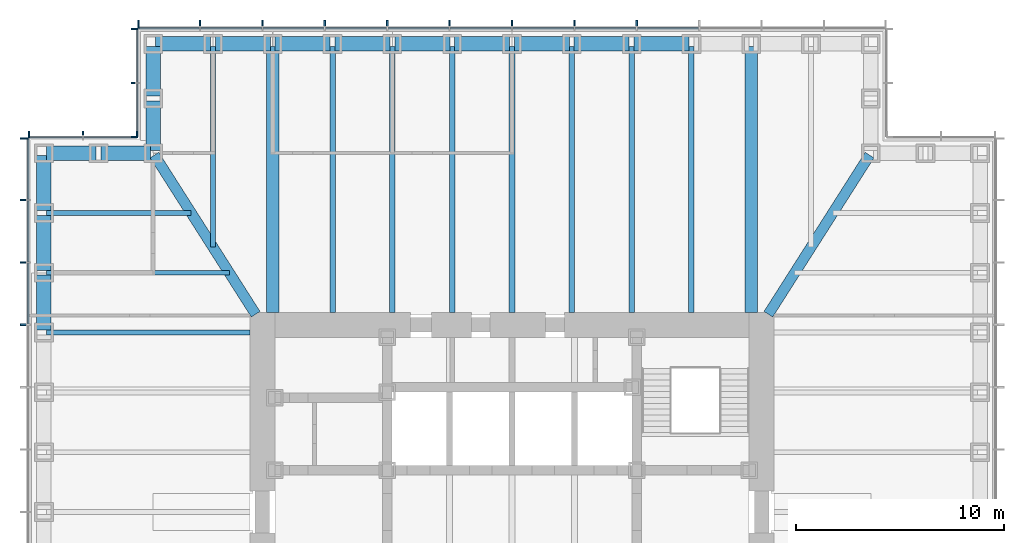
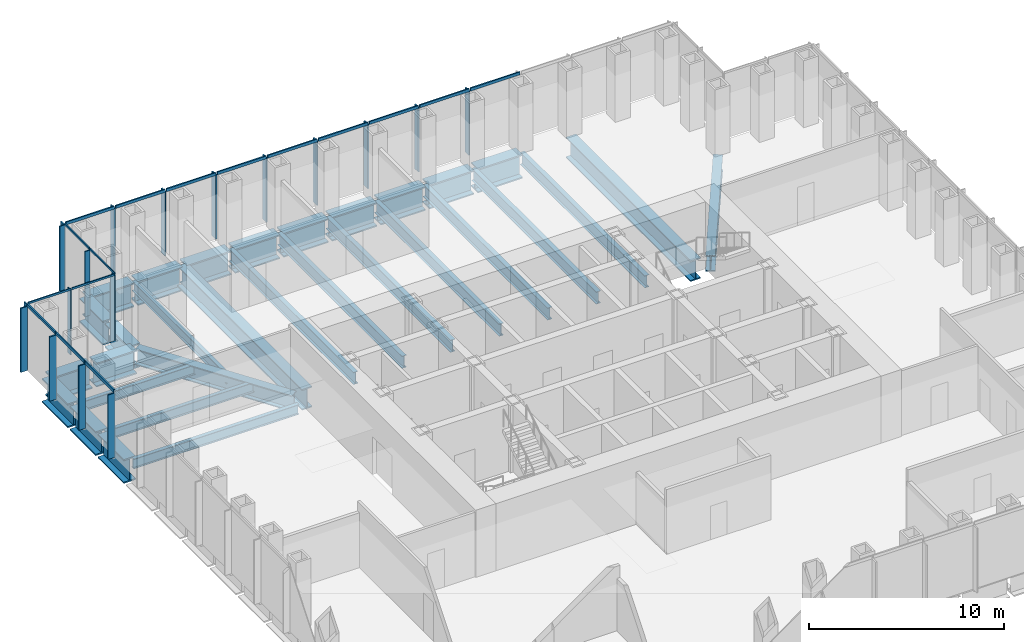
# One storey, part 5 of 16: 35 members, 31 beams, 4 elements without a shape of their own.
"""IFC4 building model written with IfcOpenShell, lengths in metres."""

from ifc_helpers import new_model, si_unit, direction, frame, origin, origin_2d, place, context, subcontext, project, spatial, rectangle, i_section, extrude, material, material_profile, profile_set, type_object, element, aggregate, save


model = new_model("IFC4")

# Units and contexts
model_context = context("Model", 3, precision=1e-05, world=origin(), true_north=direction((0.0, 1.0)))
body_context = subcontext(model_context, "Body", "Model", "MODEL_VIEW")
ifc_project = project(units=[si_unit("LENGTHUNIT", "METRE"), si_unit("AREAUNIT", "SQUARE_METRE"), si_unit("VOLUMEUNIT", "CUBIC_METRE"), si_unit("PLANEANGLEUNIT", "RADIAN"), si_unit("MASSUNIT", "GRAM", prefix="KILO")], contexts=[model_context])

# Site, building, storey
site_placement = place(None, origin())
site = spatial("IfcSite", under=ifc_project, at=site_placement, CompositionType="ELEMENT")
building_placement = place(site_placement, origin())
building = spatial("IfcBuilding", under=site, at=building_placement, Name="Daluyong Arena Tower", CompositionType="ELEMENT")
storey_placement = place(building_placement, frame((0.0, 0.0, 141.699951171875)))
storey = spatial("IfcBuildingStorey", under=building, at=storey_placement, Name="L31", CompositionType="ELEMENT", Elevation=141.699951171875)

# Curtain wall, members
ifc_material_1 = material(Name="Bronze anodised aluminium and glass", Category="aluminium")
curtain_wall_type_1 = type_object("IfcCurtainWallType", Name="Curtain wall CW2", PredefinedType="USERDEFINED", material=ifc_material_1)
curtain_wall_1_placement = place(storey_placement, origin())
curtain_wall_1 = element("IfcCurtainWall", 1, at=curtain_wall_1_placement, inside=storey, type_object=curtain_wall_type_1, Name="curtain wall L31 N", ObjectType="UNITISED CURTAIN WALL", PredefinedType="USERDEFINED")
ifc_material_2 = material(Name="Bronze anodised aluminium fin", Category="aluminium")
ifc_material_profile_1 = material_profile(ifc_material_2, rectangle(XDim=0.39990234375, YDim=0.080078125, at=origin_2d()))
ifc_profile_set_1 = profile_set([ifc_material_profile_1], Name="Bronze anodised aluminium fin")
member_type_1 = type_object("IfcMemberType", Name="CW2 bronze fin 400x80", PredefinedType="MULLION", material=ifc_profile_set_1)
member_1_placement = place(storey_placement, frame((62.0, 103.449951171875, 0.0), z_axis=(0.0, 0.0, 1.0), x_axis=(0.0, -1.0, 0.0)))
member_1 = element("IfcMember", 2, at=member_1_placement, type_object=member_type_1, Name="curtain wall L31 N fin 5", PredefinedType="MULLION", context=body_context, shape_type="SweptSolid", body=[
    extrude(rectangle(XDim=0.39990234375, YDim=0.080078125, at=origin_2d()), origin(), (0.0, 0.0, 1.0), 4.02001953125),
])
member_2_placement = place(storey_placement, frame((59.0, 103.449951171875, 0.0), z_axis=(0.0, 0.0, 1.0), x_axis=(0.0, -1.0, 0.0)))
member_2 = element("IfcMember", 3, at=member_2_placement, type_object=member_type_1, Name="curtain wall L31 N fin 6", PredefinedType="MULLION", context=body_context, shape_type="SweptSolid", body=[
    extrude(rectangle(XDim=0.39990234375, YDim=0.080078125, at=origin_2d()), origin(), (0.0, 0.0, 1.0), 4.02001953125),
])
member_3_placement = place(storey_placement, frame((56.0, 103.449951171875, 0.0), z_axis=(0.0, 0.0, 1.0), x_axis=(0.0, -1.0, 0.0)))
member_3 = element("IfcMember", 4, at=member_3_placement, type_object=member_type_1, Name="curtain wall L31 N fin 7", PredefinedType="MULLION", context=body_context, shape_type="SweptSolid", body=[
    extrude(rectangle(XDim=0.39990234375, YDim=0.080078125, at=origin_2d()), origin(), (0.0, 0.0, 1.0), 4.02001953125),
])
member_4_placement = place(storey_placement, frame((53.0, 103.449951171875, 0.0), z_axis=(0.0, 0.0, 1.0), x_axis=(0.0, -1.0, 0.0)))
member_4 = element("IfcMember", 5, at=member_4_placement, type_object=member_type_1, Name="curtain wall L31 N fin 8", PredefinedType="MULLION", context=body_context, shape_type="SweptSolid", body=[
    extrude(rectangle(XDim=0.39990234375, YDim=0.080078125, at=origin_2d()), origin(), (0.0, 0.0, 1.0), 4.02001953125),
])
member_5_placement = place(storey_placement, frame((50.0, 103.449951171875, 0.0), z_axis=(0.0, 0.0, 1.0), x_axis=(0.0, -1.0, 0.0)))
member_5 = element("IfcMember", 6, at=member_5_placement, type_object=member_type_1, Name="curtain wall L31 N fin 9", PredefinedType="MULLION", context=body_context, shape_type="SweptSolid", body=[
    extrude(rectangle(XDim=0.39990234375, YDim=0.080078125, at=origin_2d()), origin(), (0.0, 0.0, 1.0), 4.02001953125),
])
member_6_placement = place(storey_placement, frame((47.0, 103.449951171875, 0.0), z_axis=(0.0, 0.0, 1.0), x_axis=(0.0, -1.0, 0.0)))
member_6 = element("IfcMember", 7, at=member_6_placement, type_object=member_type_1, Name="curtain wall L31 N fin 10", PredefinedType="MULLION", context=body_context, shape_type="SweptSolid", body=[
    extrude(rectangle(XDim=0.39990234375, YDim=0.080078125, at=origin_2d()), origin(), (0.0, 0.0, 1.0), 4.02001953125),
])
member_7_placement = place(storey_placement, frame((44.0, 103.449951171875, 0.0), z_axis=(0.0, 0.0, 1.0), x_axis=(0.0, -1.0, 0.0)))
member_7 = element("IfcMember", 8, at=member_7_placement, type_object=member_type_1, Name="curtain wall L31 N fin 11", PredefinedType="MULLION", context=body_context, shape_type="SweptSolid", body=[
    extrude(rectangle(XDim=0.39990234375, YDim=0.080078125, at=origin_2d()), origin(), (0.0, 0.0, 1.0), 4.02001953125),
])
member_8_placement = place(storey_placement, frame((41.0, 103.449951171875, 0.0), z_axis=(0.0, 0.0, 1.0), x_axis=(0.0, -1.0, 0.0)))
member_8 = element("IfcMember", 9, at=member_8_placement, type_object=member_type_1, Name="curtain wall L31 N fin 12", PredefinedType="MULLION", context=body_context, shape_type="SweptSolid", body=[
    extrude(rectangle(XDim=0.39990234375, YDim=0.080078125, at=origin_2d()), origin(), (0.0, 0.0, 1.0), 4.02001953125),
])
member_9_placement = place(storey_placement, frame((38.0400390625, 103.449951171875, 0.0), z_axis=(0.0, 0.0, 1.0), x_axis=(0.0, -1.0, 0.0)))
member_9 = element("IfcMember", 10, at=member_9_placement, type_object=member_type_1, Name="curtain wall L31 N fin 13", PredefinedType="MULLION", context=body_context, shape_type="SweptSolid", body=[
    extrude(rectangle(XDim=0.39990234375, YDim=0.080078125, at=origin_2d()), origin(), (0.0, 0.0, 1.0), 4.02001953125),
])

curtain_wall_2_placement = place(storey_placement, origin())
curtain_wall_2 = element("IfcCurtainWall", 11, at=curtain_wall_2_placement, inside=storey, type_object=curtain_wall_type_1, Name="curtain wall L31 W", ObjectType="UNITISED CURTAIN WALL", PredefinedType="USERDEFINED")
member_10_placement = place(storey_placement, frame((32.550048828125, 97.9599609375, 0.0), z_axis=(0.0, 0.0, 1.0), x_axis=(1.0, 0.0, 0.0)))
member_10 = element("IfcMember", 12, at=member_10_placement, type_object=member_type_1, Name="curtain wall L31 W fin 1", PredefinedType="MULLION", context=body_context, shape_type="SweptSolid", body=[
    extrude(rectangle(XDim=0.39990234375, YDim=0.080078125, at=origin_2d()), origin(), (0.0, 0.0, 1.0), 4.02001953125),
])
member_11_placement = place(storey_placement, frame((32.550048828125, 95.0, 0.0), z_axis=(0.0, 0.0, 1.0), x_axis=(1.0, 0.0, 0.0)))
member_11 = element("IfcMember", 13, at=member_11_placement, type_object=member_type_1, Name="curtain wall L31 W fin 2", PredefinedType="MULLION", context=body_context, shape_type="SweptSolid", body=[
    extrude(rectangle(XDim=0.39990234375, YDim=0.080078125, at=origin_2d()), origin(), (0.0, 0.0, 1.0), 4.02001953125),
])
member_12_placement = place(storey_placement, frame((32.550048828125, 92.0, 0.0), z_axis=(0.0, 0.0, 1.0), x_axis=(1.0, 0.0, 0.0)))
member_12 = element("IfcMember", 14, at=member_12_placement, type_object=member_type_1, Name="curtain wall L31 W fin 3", PredefinedType="MULLION", context=body_context, shape_type="SweptSolid", body=[
    extrude(rectangle(XDim=0.39990234375, YDim=0.080078125, at=origin_2d()), origin(), (0.0, 0.0, 1.0), 4.02001953125),
])
member_13_placement = place(storey_placement, frame((32.550048828125, 89.0, 0.0), z_axis=(0.0, 0.0, 1.0), x_axis=(1.0, 0.0, 0.0)))
member_13 = element("IfcMember", 15, at=member_13_placement, type_object=member_type_1, Name="curtain wall L31 W fin 4", PredefinedType="MULLION", context=body_context, shape_type="SweptSolid", body=[
    extrude(rectangle(XDim=0.39990234375, YDim=0.080078125, at=origin_2d()), origin(), (0.0, 0.0, 1.0), 4.02001953125),
])

# Member
ifc_material_3 = material(Name="Bronze anodised aluminium", Category="aluminium")
ifc_material_profile_2 = material_profile(ifc_material_3, rectangle(XDim=0.080078125, YDim=0.179931640625, at=origin_2d()))
ifc_profile_set_2 = profile_set([ifc_material_profile_2], Name="Bronze anodised aluminium")
member_type_2 = type_object("IfcMemberType", Name="CW2 stack transom 180x80", PredefinedType="USERDEFINED", material=ifc_profile_set_2)
member_14_placement = place(storey_placement, frame((64.9599609375, 103.25, 4.110107421875), z_axis=(-1.0, 0.0, 0.0), x_axis=(0.0, -1.0, 0.0)))
member_14 = element("IfcMember", 16, at=member_14_placement, type_object=member_type_2, Name="curtain wall L31 N transom 4", ObjectType="TRANSOM", PredefinedType="USERDEFINED", context=body_context, shape_type="SweptSolid", body=[
    extrude(rectangle(XDim=0.080078125, YDim=0.179931640625, at=origin_2d()), origin(), (0.0, 0.0, 1.0), 2.919921875),
])

member_15_placement = place(storey_placement, frame((61.9599609375, 103.25, 4.110107421875), z_axis=(-1.0, 0.0, 0.0), x_axis=(0.0, -1.0, 0.0)))
member_15 = element("IfcMember", 17, at=member_15_placement, type_object=member_type_2, Name="curtain wall L31 N transom 5", ObjectType="TRANSOM", PredefinedType="USERDEFINED", context=body_context, shape_type="SweptSolid", body=[
    extrude(rectangle(XDim=0.080078125, YDim=0.179931640625, at=origin_2d()), origin(), (0.0, 0.0, 1.0), 2.919921875),
])

member_16_placement = place(storey_placement, frame((58.9599609375, 103.25, 4.110107421875), z_axis=(-1.0, 0.0, 0.0), x_axis=(0.0, -1.0, 0.0)))
member_16 = element("IfcMember", 18, at=member_16_placement, type_object=member_type_2, Name="curtain wall L31 N transom 6", ObjectType="TRANSOM", PredefinedType="USERDEFINED", context=body_context, shape_type="SweptSolid", body=[
    extrude(rectangle(XDim=0.080078125, YDim=0.179931640625, at=origin_2d()), origin(), (0.0, 0.0, 1.0), 2.919921875),
])

member_17_placement = place(storey_placement, frame((55.9599609375, 103.25, 4.110107421875), z_axis=(-1.0, 0.0, 0.0), x_axis=(0.0, -1.0, 0.0)))
member_17 = element("IfcMember", 19, at=member_17_placement, type_object=member_type_2, Name="curtain wall L31 N transom 7", ObjectType="TRANSOM", PredefinedType="USERDEFINED", context=body_context, shape_type="SweptSolid", body=[
    extrude(rectangle(XDim=0.080078125, YDim=0.179931640625, at=origin_2d()), origin(), (0.0, 0.0, 1.0), 2.919921875),
])

member_18_placement = place(storey_placement, frame((52.9599609375, 103.25, 4.110107421875), z_axis=(-1.0, 0.0, 0.0), x_axis=(0.0, -1.0, 0.0)))
member_18 = element("IfcMember", 20, at=member_18_placement, type_object=member_type_2, Name="curtain wall L31 N transom 8", ObjectType="TRANSOM", PredefinedType="USERDEFINED", context=body_context, shape_type="SweptSolid", body=[
    extrude(rectangle(XDim=0.080078125, YDim=0.179931640625, at=origin_2d()), origin(), (0.0, 0.0, 1.0), 2.919921875),
])

member_19_placement = place(storey_placement, frame((49.9599609375, 103.25, 4.110107421875), z_axis=(-1.0, 0.0, 0.0), x_axis=(0.0, -1.0, 0.0)))
member_19 = element("IfcMember", 21, at=member_19_placement, type_object=member_type_2, Name="curtain wall L31 N transom 9", ObjectType="TRANSOM", PredefinedType="USERDEFINED", context=body_context, shape_type="SweptSolid", body=[
    extrude(rectangle(XDim=0.080078125, YDim=0.179931640625, at=origin_2d()), origin(), (0.0, 0.0, 1.0), 2.919921875),
])

member_20_placement = place(storey_placement, frame((46.9599609375, 103.25, 4.110107421875), z_axis=(-1.0, 0.0, 0.0), x_axis=(0.0, -1.0, 0.0)))
member_20 = element("IfcMember", 22, at=member_20_placement, type_object=member_type_2, Name="curtain wall L31 N transom 10", ObjectType="TRANSOM", PredefinedType="USERDEFINED", context=body_context, shape_type="SweptSolid", body=[
    extrude(rectangle(XDim=0.080078125, YDim=0.179931640625, at=origin_2d()), origin(), (0.0, 0.0, 1.0), 2.919921875),
])

member_21_placement = place(storey_placement, frame((43.9599609375, 103.25, 4.110107421875), z_axis=(-1.0, 0.0, 0.0), x_axis=(0.0, -1.0, 0.0)))
member_21 = element("IfcMember", 23, at=member_21_placement, type_object=member_type_2, Name="curtain wall L31 N transom 11", ObjectType="TRANSOM", PredefinedType="USERDEFINED", context=body_context, shape_type="SweptSolid", body=[
    extrude(rectangle(XDim=0.080078125, YDim=0.179931640625, at=origin_2d()), origin(), (0.0, 0.0, 1.0), 2.919921875),
])

member_22_placement = place(storey_placement, frame((40.9599609375, 103.25, 4.110107421875), z_axis=(-1.0, 0.0, 0.0), x_axis=(0.0, -1.0, 0.0)))
member_22 = element("IfcMember", 24, at=member_22_placement, type_object=member_type_2, Name="curtain wall L31 N transom 12", ObjectType="TRANSOM", PredefinedType="USERDEFINED", context=body_context, shape_type="SweptSolid", body=[
    extrude(rectangle(XDim=0.080078125, YDim=0.179931640625, at=origin_2d()), origin(), (0.0, 0.0, 1.0), 2.8798828125),
])

aggregate(curtain_wall_1, [member_1, member_2, member_3, member_4, member_5, member_6, member_7, member_8, member_9, member_14, member_15, member_16, member_17, member_18, member_19, member_20, member_21, member_22])

member_23_placement = place(storey_placement, frame((32.75, 97.919921875, 4.110107421875), z_axis=(0.0, -1.0, 0.0), x_axis=(1.0, 0.0, 0.0)))
member_23 = element("IfcMember", 25, at=member_23_placement, type_object=member_type_2, Name="curtain wall L31 W transom 1", ObjectType="TRANSOM", PredefinedType="USERDEFINED", context=body_context, shape_type="SweptSolid", body=[
    extrude(rectangle(XDim=0.080078125, YDim=0.179931640625, at=origin_2d()), origin(), (0.0, 0.0, 1.0), 2.8798828125),
])

member_24_placement = place(storey_placement, frame((32.75, 94.9599609375, 4.110107421875), z_axis=(0.0, -1.0, 0.0), x_axis=(1.0, 0.0, 0.0)))
member_24 = element("IfcMember", 26, at=member_24_placement, type_object=member_type_2, Name="curtain wall L31 W transom 2", ObjectType="TRANSOM", PredefinedType="USERDEFINED", context=body_context, shape_type="SweptSolid", body=[
    extrude(rectangle(XDim=0.080078125, YDim=0.179931640625, at=origin_2d()), origin(), (0.0, 0.0, 1.0), 2.919921875),
])

member_25_placement = place(storey_placement, frame((32.75, 91.9599609375, 4.110107421875), z_axis=(0.0, -1.0, 0.0), x_axis=(1.0, 0.0, 0.0)))
member_25 = element("IfcMember", 27, at=member_25_placement, type_object=member_type_2, Name="curtain wall L31 W transom 3", ObjectType="TRANSOM", PredefinedType="USERDEFINED", context=body_context, shape_type="SweptSolid", body=[
    extrude(rectangle(XDim=0.080078125, YDim=0.179931640625, at=origin_2d()), origin(), (0.0, 0.0, 1.0), 2.919921875),
])

aggregate(curtain_wall_2, [member_10, member_11, member_12, member_13, member_23, member_24, member_25])

# Curtain wall, members
ifc_material_4 = material(Name="Bronze anodised aluminium and glass", Category="aluminium")
curtain_wall_type_2 = type_object("IfcCurtainWallType", Name="Curtain wall CW7", PredefinedType="USERDEFINED", material=ifc_material_4)
curtain_wall_3_placement = place(storey_placement, origin())
curtain_wall_3 = element("IfcCurtainWall", 28, at=curtain_wall_3_placement, inside=storey, type_object=curtain_wall_type_2, Name="curtain wall L31 NW-W", ObjectType="UNITISED CURTAIN WALL", PredefinedType="USERDEFINED")
ifc_material_5 = material(Name="Bronze anodised aluminium fin", Category="aluminium")
ifc_material_profile_3 = material_profile(ifc_material_5, rectangle(XDim=0.300048828125, YDim=0.06005859375, at=origin_2d()))
ifc_profile_set_3 = profile_set([ifc_material_profile_3], Name="Bronze anodised aluminium fin")
member_type_3 = type_object("IfcMemberType", Name="CW7 bronze fin 300x60", PredefinedType="MULLION", material=ifc_profile_set_3)
member_26_placement = place(storey_placement, frame((37.85009765625, 103.219970703125, 0.0), z_axis=(0.0, 0.0, 1.0), x_axis=(1.0, 0.0, 0.0)))
member_26 = element("IfcMember", 29, at=member_26_placement, type_object=member_type_3, Name="curtain wall L31 NW-W fin 1", PredefinedType="MULLION", context=body_context, shape_type="SweptSolid", body=[
    extrude(rectangle(XDim=0.300048828125, YDim=0.06005859375, at=origin_2d()), origin(), (0.0, 0.0, 1.0), 4.080078125),
])
member_27_placement = place(storey_placement, frame((37.85009765625, 100.625, 0.0), z_axis=(0.0, 0.0, 1.0), x_axis=(1.0, 0.0, 0.0)))
member_27 = element("IfcMember", 30, at=member_27_placement, type_object=member_type_3, Name="curtain wall L31 NW-W fin 2", PredefinedType="MULLION", context=body_context, shape_type="SweptSolid", body=[
    extrude(rectangle(XDim=0.300048828125, YDim=0.06005859375, at=origin_2d()), origin(), (0.0, 0.0, 1.0), 4.080078125),
])
member_28_placement = place(storey_placement, frame((37.85009765625, 98.030029296875, 0.0), z_axis=(0.0, 0.0, 1.0), x_axis=(1.0, 0.0, 0.0)))
member_28 = element("IfcMember", 31, at=member_28_placement, type_object=member_type_3, Name="curtain wall L31 NW-W fin 3", PredefinedType="MULLION", context=body_context, shape_type="SweptSolid", body=[
    extrude(rectangle(XDim=0.300048828125, YDim=0.06005859375, at=origin_2d()), origin(), (0.0, 0.0, 1.0), 4.080078125),
])

curtain_wall_4_placement = place(storey_placement, origin())
curtain_wall_4 = element("IfcCurtainWall", 32, at=curtain_wall_4_placement, inside=storey, type_object=curtain_wall_type_2, Name="curtain wall L31 NW-N", ObjectType="UNITISED CURTAIN WALL", PredefinedType="USERDEFINED")
member_29_placement = place(storey_placement, frame((37.969970703125, 98.14990234375, 0.0), z_axis=(0.0, 0.0, 1.0), x_axis=(0.0, -1.0, 0.0)))
member_29 = element("IfcMember", 33, at=member_29_placement, type_object=member_type_3, Name="curtain wall L31 NW-N fin 1", PredefinedType="MULLION", context=body_context, shape_type="SweptSolid", body=[
    extrude(rectangle(XDim=0.300048828125, YDim=0.06005859375, at=origin_2d()), origin(), (0.0, 0.0, 1.0), 4.080078125),
])
member_30_placement = place(storey_placement, frame((35.375, 98.14990234375, 0.0), z_axis=(0.0, 0.0, 1.0), x_axis=(0.0, -1.0, 0.0)))
member_30 = element("IfcMember", 34, at=member_30_placement, type_object=member_type_3, Name="curtain wall L31 NW-N fin 2", PredefinedType="MULLION", context=body_context, shape_type="SweptSolid", body=[
    extrude(rectangle(XDim=0.300048828125, YDim=0.06005859375, at=origin_2d()), origin(), (0.0, 0.0, 1.0), 4.080078125),
])
member_31_placement = place(storey_placement, frame((32.780029296875, 98.14990234375, 0.0), z_axis=(0.0, 0.0, 1.0), x_axis=(0.0, -1.0, 0.0)))
member_31 = element("IfcMember", 35, at=member_31_placement, type_object=member_type_3, Name="curtain wall L31 NW-N fin 3", PredefinedType="MULLION", context=body_context, shape_type="SweptSolid", body=[
    extrude(rectangle(XDim=0.300048828125, YDim=0.06005859375, at=origin_2d()), origin(), (0.0, 0.0, 1.0), 4.080078125),
])

# Member
ifc_material_6 = material(Name="Bronze anodised aluminium", Category="aluminium")
ifc_material_profile_4 = material_profile(ifc_material_6, rectangle(XDim=0.06005859375, YDim=0.1201171875, at=origin_2d()))
ifc_profile_set_4 = profile_set([ifc_material_profile_4], Name="Bronze anodised aluminium")
member_type_4 = type_object("IfcMemberType", Name="CW7 stack transom 120x60", PredefinedType="USERDEFINED", material=ifc_profile_set_4)
member_32_placement = place(storey_placement, frame((38.0, 103.18994140625, 4.14013671875), z_axis=(0.0, -1.0, 0.0), x_axis=(1.0, 0.0, 0.0)))
member_32 = element("IfcMember", 36, at=member_32_placement, type_object=member_type_4, Name="curtain wall L31 NW-W transom 1", ObjectType="TRANSOM", PredefinedType="USERDEFINED", context=body_context, shape_type="SweptSolid", body=[
    extrude(rectangle(XDim=0.06005859375, YDim=0.1201171875, at=origin_2d()), origin(), (0.0, 0.0, 1.0), 2.534912109375),
])

member_33_placement = place(storey_placement, frame((38.0, 100.594970703125, 4.14013671875), z_axis=(0.0, -1.0, 0.0), x_axis=(1.0, 0.0, 0.0)))
member_33 = element("IfcMember", 37, at=member_33_placement, type_object=member_type_4, Name="curtain wall L31 NW-W transom 2", ObjectType="TRANSOM", PredefinedType="USERDEFINED", context=body_context, shape_type="SweptSolid", body=[
    extrude(rectangle(XDim=0.06005859375, YDim=0.1201171875, at=origin_2d()), origin(), (0.0, 0.0, 1.0), 2.534912109375),
])

aggregate(curtain_wall_3, [member_26, member_27, member_28, member_32, member_33])

member_34_placement = place(storey_placement, frame((37.93994140625, 98.0, 4.14013671875), z_axis=(-1.0, 0.0, 0.0), x_axis=(0.0, -1.0, 0.0)))
member_34 = element("IfcMember", 38, at=member_34_placement, type_object=member_type_4, Name="curtain wall L31 NW-N transom 1", ObjectType="TRANSOM", PredefinedType="USERDEFINED", context=body_context, shape_type="SweptSolid", body=[
    extrude(rectangle(XDim=0.06005859375, YDim=0.1201171875, at=origin_2d()), origin(), (0.0, 0.0, 1.0), 2.534912109375),
])

member_35_placement = place(storey_placement, frame((35.344970703125, 98.0, 4.14013671875), z_axis=(-1.0, 0.0, 0.0), x_axis=(0.0, -1.0, 0.0)))
member_35 = element("IfcMember", 39, at=member_35_placement, type_object=member_type_4, Name="curtain wall L31 NW-N transom 2", ObjectType="TRANSOM", PredefinedType="USERDEFINED", context=body_context, shape_type="SweptSolid", body=[
    extrude(rectangle(XDim=0.06005859375, YDim=0.1201171875, at=origin_2d()), origin(), (0.0, 0.0, 1.0), 2.534912109375),
])

aggregate(curtain_wall_4, [member_29, member_30, member_31, member_34, member_35])

# Beams
ifc_material_7 = material(Name="Steel ASTM A572 Grade 50", Category="steel")
ifc_material_profile_5 = material_profile(ifc_material_7, i_section(OverallWidth=0.5, OverallDepth=1.0, WebThickness=0.03, FlangeThickness=0.06, at=origin_2d()))
ifc_profile_set_5 = profile_set([ifc_material_profile_5], Name="Steel ASTM A572 Grade 50")
beam_type_1 = type_object("IfcBeamType", Name="Corner girder TB1000X500", PredefinedType="BEAM", material=ifc_profile_set_5)
for number, where, z_axis, x_axis, name in (
    (40, (73.188232421875, 97.153076171875, -0.659912109375), (-0.536872006459, -0.843663705916, 0.0), (0.843663705916, -0.536872006459, 0.0), "corner girder DG2"),
    (41, (38.811767578125, 97.153076171875, -0.659912109375), (0.536872006459, -0.843663705916, 0.0), (0.843663705916, 0.536872006459, 0.0), "corner girder DG2"),
):
    element("IfcBeam", number, at=place(storey_placement, frame(where, z_axis=z_axis, x_axis=x_axis)), inside=storey, type_object=beam_type_1, Name=name, PredefinedType="BEAM", context=body_context, shape_type="SweptSolid", body=[
        extrude(i_section(OverallWidth=0.5, OverallDepth=1.0, WebThickness=0.03, FlangeThickness=0.06, at=origin_2d()), origin(), (0.0, 0.0, 1.0), 9.06396484375),
    ])
ifc_material_8 = material(Name="Steel ASTM A572 Grade 50", Category="steel")
ifc_material_profile_6 = material_profile(ifc_material_8, i_section(OverallWidth=0.60009765625, OverallDepth=1.300048828125, WebThickness=0.035, FlangeThickness=0.07, at=origin_2d()))
ifc_profile_set_6 = profile_set([ifc_material_profile_6], Name="Steel ASTM A572 Grade 50")
beam_type_2 = type_object("IfcBeamType", Name="Floor beam TB1300X600", PredefinedType="BEAM", material=ifc_profile_set_6)
for number, where, z_axis, x_axis, name in (
    (42, (67.5, 102.385009765625, -0.81005859375), (0.0, -1.0, 0.0), (1.0, 0.0, 0.0), "floor beam FB7"),
    (43, (44.5, 102.385009765625, -0.81005859375), (0.0, -1.0, 0.0), (1.0, 0.0, 0.0), "floor beam FB7"),
):
    element("IfcBeam", number, at=place(storey_placement, frame(where, z_axis=z_axis, x_axis=x_axis)), inside=storey, type_object=beam_type_2, Name=name, PredefinedType="BEAM", context=body_context, shape_type="SweptSolid", body=[
        extrude(i_section(OverallWidth=0.60009765625, OverallDepth=1.300048828125, WebThickness=0.035, FlangeThickness=0.07, at=origin_2d()), origin(), (0.0, 0.0, 1.0), 12.784912109375),
    ])
ifc_material_9 = material(Name="Steel ASTM A992 Grade 50", Category="steel")
ifc_material_profile_7 = material_profile(ifc_material_9, i_section(OverallWidth=0.22900390625, OverallDepth=0.612060546875, WebThickness=0.011962890625, FlangeThickness=0.01953125, at=origin_2d()))
ifc_profile_set_7 = profile_set([ifc_material_profile_7], Name="Steel ASTM A992 Grade 50")
beam_type_3 = type_object("IfcBeamType", Name="Floor beam W24X84", PredefinedType="BEAM", material=ifc_profile_set_7)
beam_1_placement = place(storey_placement, frame((41.625, 102.385009765625, -0.466064453125), z_axis=(0.0, -1.0, 0.0), x_axis=(1.0, 0.0, 0.0)))
element("IfcBeam", 44, at=beam_1_placement, inside=storey, type_object=beam_type_3, Name="floor beam FB3", PredefinedType="BEAM", context=body_context, shape_type="SweptSolid", body=[
    extrude(i_section(OverallWidth=0.22900390625, OverallDepth=0.612060546875, WebThickness=0.011962890625, FlangeThickness=0.01953125, at=origin_2d()), origin(), (0.0, 0.0, 1.0), 9.65283203125),
])
beam_2_placement = place(storey_placement, frame((33.614990234375, 94.375, -0.466064453125), z_axis=(1.0, 0.0, 0.0), x_axis=(0.0, 1.0, 0.0)))
element("IfcBeam", 45, at=beam_2_placement, inside=storey, type_object=beam_type_3, Name="floor beam FB3", PredefinedType="BEAM", context=body_context, shape_type="SweptSolid", body=[
    extrude(i_section(OverallWidth=0.22900390625, OverallDepth=0.612060546875, WebThickness=0.011962890625, FlangeThickness=0.01953125, at=origin_2d()), origin(), (0.0, 0.0, 1.0), 6.964599609375),
])
beam_3_placement = place(storey_placement, frame((33.614990234375, 91.5, -0.466064453125), z_axis=(1.0, 0.0, 0.0), x_axis=(0.0, 1.0, 0.0)))
element("IfcBeam", 46, at=beam_3_placement, inside=storey, type_object=beam_type_3, Name="floor beam FB3", PredefinedType="BEAM", context=body_context, shape_type="SweptSolid", body=[
    extrude(i_section(OverallWidth=0.22900390625, OverallDepth=0.612060546875, WebThickness=0.011962890625, FlangeThickness=0.01953125, at=origin_2d()), origin(), (0.0, 0.0, 1.0), 8.794189453125),
])
beam_4_placement = place(storey_placement, frame((33.614990234375, 88.625, -0.466064453125), z_axis=(1.0, 0.0, 0.0), x_axis=(0.0, 1.0, 0.0)))
element("IfcBeam", 47, at=beam_4_placement, inside=storey, type_object=beam_type_3, Name="floor beam FB3", PredefinedType="BEAM", context=body_context, shape_type="SweptSolid", body=[
    extrude(i_section(OverallWidth=0.22900390625, OverallDepth=0.612060546875, WebThickness=0.011962890625, FlangeThickness=0.01953125, at=origin_2d()), origin(), (0.0, 0.0, 1.0), 9.784912109375),
])
ifc_material_10 = material(Name="Steel ASTM A992 Grade 50", Category="steel")
ifc_material_profile_8 = material_profile(ifc_material_10, i_section(OverallWidth=0.2666015625, OverallDepth=0.761962890625, WebThickness=0.014404296875, FlangeThickness=0.021484375, at=origin_2d()))
ifc_profile_set_8 = profile_set([ifc_material_profile_8], Name="Steel ASTM A992 Grade 50")
beam_type_4 = type_object("IfcBeamType", Name="Floor beam W30X116", PredefinedType="BEAM", material=ifc_profile_set_8)
for number, where, z_axis, x_axis, name in (
    (48, (64.625, 102.385009765625, -0.541015625), (0.0, -1.0, 0.0), (1.0, 0.0, 0.0), "floor beam FB4"),
    (49, (61.75, 102.385009765625, -0.541015625), (0.0, -1.0, 0.0), (1.0, 0.0, 0.0), "floor beam FB4"),
    (50, (58.875, 102.385009765625, -0.541015625), (0.0, -1.0, 0.0), (1.0, 0.0, 0.0), "floor beam FB4"),
    (51, (56.0, 102.385009765625, -0.541015625), (0.0, -1.0, 0.0), (1.0, 0.0, 0.0), "floor beam FB4"),
    (52, (53.125, 102.385009765625, -0.541015625), (0.0, -1.0, 0.0), (1.0, 0.0, 0.0), "floor beam FB4"),
    (53, (50.25, 102.385009765625, -0.541015625), (0.0, -1.0, 0.0), (1.0, 0.0, 0.0), "floor beam FB4"),
    (54, (47.375, 102.385009765625, -0.541015625), (0.0, -1.0, 0.0), (1.0, 0.0, 0.0), "floor beam FB4"),
):
    element("IfcBeam", number, at=place(storey_placement, frame(where, z_axis=z_axis, x_axis=x_axis)), inside=storey, type_object=beam_type_4, Name=name, PredefinedType="BEAM", context=body_context, shape_type="SweptSolid", body=[
        extrude(i_section(OverallWidth=0.2666015625, OverallDepth=0.761962890625, WebThickness=0.014404296875, FlangeThickness=0.021484375, at=origin_2d()), origin(), (0.0, 0.0, 1.0), 12.784912109375),
    ])
ifc_material_11 = material(Name="Steel ASTM A572 Grade 50", Category="steel")
ifc_material_profile_9 = material_profile(ifc_material_11, i_section(OverallWidth=0.699951171875, OverallDepth=1.5, WebThickness=0.04, FlangeThickness=0.08, at=origin_2d()))
ifc_profile_set_9 = profile_set([ifc_material_profile_9], Name="Steel ASTM A572 Grade 50")
beam_type_5 = type_object("IfcBeamType", Name="Spandrel Z2 PG1500X700", PredefinedType="SPANDREL", material=ifc_profile_set_9)
for number, where, z_axis, x_axis, name in (
    (55, (64.510009765625, 102.5, -0.909912109375), (-1.0, 0.0, 0.0), (0.0, -1.0, 0.0), "spandrel z2 SB6"),
    (56, (61.635009765625, 102.5, -0.909912109375), (-1.0, 0.0, 0.0), (0.0, -1.0, 0.0), "spandrel z2 SB6"),
    (57, (58.760009765625, 102.5, -0.909912109375), (-1.0, 0.0, 0.0), (0.0, -1.0, 0.0), "spandrel z2 SB6"),
    (58, (55.885009765625, 102.5, -0.909912109375), (-1.0, 0.0, 0.0), (0.0, -1.0, 0.0), "spandrel z2 SB6"),
    (59, (53.010009765625, 102.5, -0.909912109375), (-1.0, 0.0, 0.0), (0.0, -1.0, 0.0), "spandrel z2 SB6"),
    (60, (50.135009765625, 102.5, -0.909912109375), (-1.0, 0.0, 0.0), (0.0, -1.0, 0.0), "spandrel z2 SB6"),
    (61, (47.260009765625, 102.5, -0.909912109375), (-1.0, 0.0, 0.0), (0.0, -1.0, 0.0), "spandrel z2 SB6"),
    (62, (44.385009765625, 102.5, -0.909912109375), (-1.0, 0.0, 0.0), (0.0, -1.0, 0.0), "spandrel z2 SB6"),
    (63, (41.510009765625, 102.5, -0.909912109375), (-1.0, 0.0, 0.0), (0.0, -1.0, 0.0), "spandrel z2 SB6"),
):
    element("IfcBeam", number, at=place(storey_placement, frame(where, z_axis=z_axis, x_axis=x_axis)), inside=storey, type_object=beam_type_5, Name=name, PredefinedType="SPANDREL", context=body_context, shape_type="SweptSolid", body=[
        extrude(i_section(OverallWidth=0.699951171875, OverallDepth=1.5, WebThickness=0.04, FlangeThickness=0.08, at=origin_2d()), origin(), (0.0, 0.0, 1.0), 2.64501953125),
    ])
for number, where, z_axis, x_axis, name in (
    (64, (38.75, 102.385009765625, -0.909912109375), (0.0, -1.0, 0.0), (1.0, 0.0, 0.0), "spandrel z2 SB6"),
    (65, (38.75, 99.760009765625, -0.909912109375), (0.0, -1.0, 0.0), (1.0, 0.0, 0.0), "spandrel z2 SB6"),
    (66, (38.635009765625, 97.25, -0.909912109375), (-1.0, 0.0, 0.0), (0.0, -1.0, 0.0), "spandrel z2 SB6"),
    (67, (36.010009765625, 97.25, -0.909912109375), (-1.0, 0.0, 0.0), (0.0, -1.0, 0.0), "spandrel z2 SB6"),
):
    element("IfcBeam", number, at=place(storey_placement, frame(where, z_axis=z_axis, x_axis=x_axis)), inside=storey, type_object=beam_type_5, Name=name, PredefinedType="SPANDREL", context=body_context, shape_type="SweptSolid", body=[
        extrude(i_section(OverallWidth=0.699951171875, OverallDepth=1.5, WebThickness=0.04, FlangeThickness=0.08, at=origin_2d()), origin(), (0.0, 0.0, 1.0), 2.39501953125),
    ])
for number, where, z_axis, x_axis, name in (
    (68, (33.5, 97.135009765625, -0.909912109375), (0.0, -1.0, 0.0), (1.0, 0.0, 0.0), "spandrel z2 SB6"),
    (69, (33.5, 94.260009765625, -0.909912109375), (0.0, -1.0, 0.0), (1.0, 0.0, 0.0), "spandrel z2 SB6"),
    (70, (33.5, 91.385009765625, -0.909912109375), (0.0, -1.0, 0.0), (1.0, 0.0, 0.0), "spandrel z2 SB6"),
):
    element("IfcBeam", number, at=place(storey_placement, frame(where, z_axis=z_axis, x_axis=x_axis)), inside=storey, type_object=beam_type_5, Name=name, PredefinedType="SPANDREL", context=body_context, shape_type="SweptSolid", body=[
        extrude(i_section(OverallWidth=0.699951171875, OverallDepth=1.5, WebThickness=0.04, FlangeThickness=0.08, at=origin_2d()), origin(), (0.0, 0.0, 1.0), 2.64501953125),
    ])

save(model, "model.ifc")
